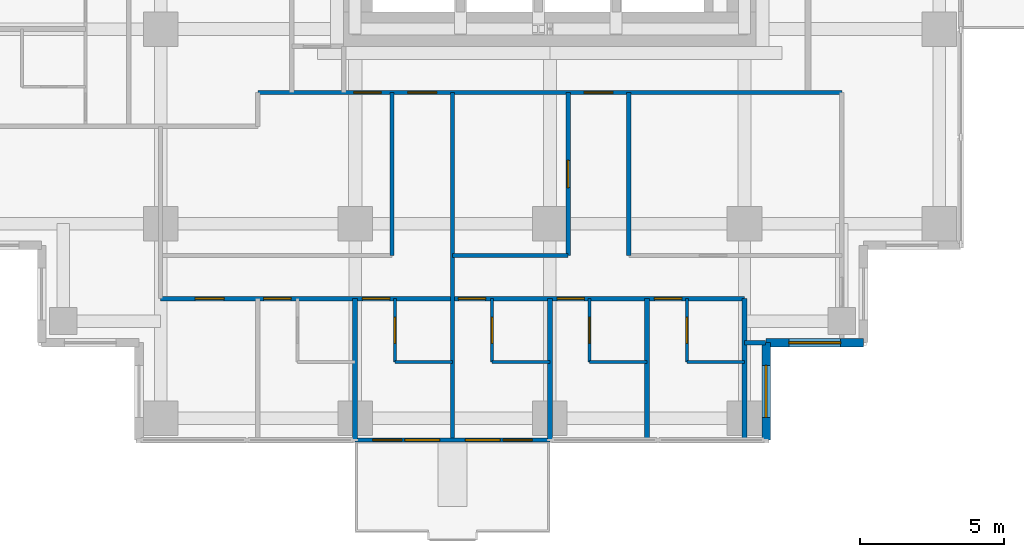
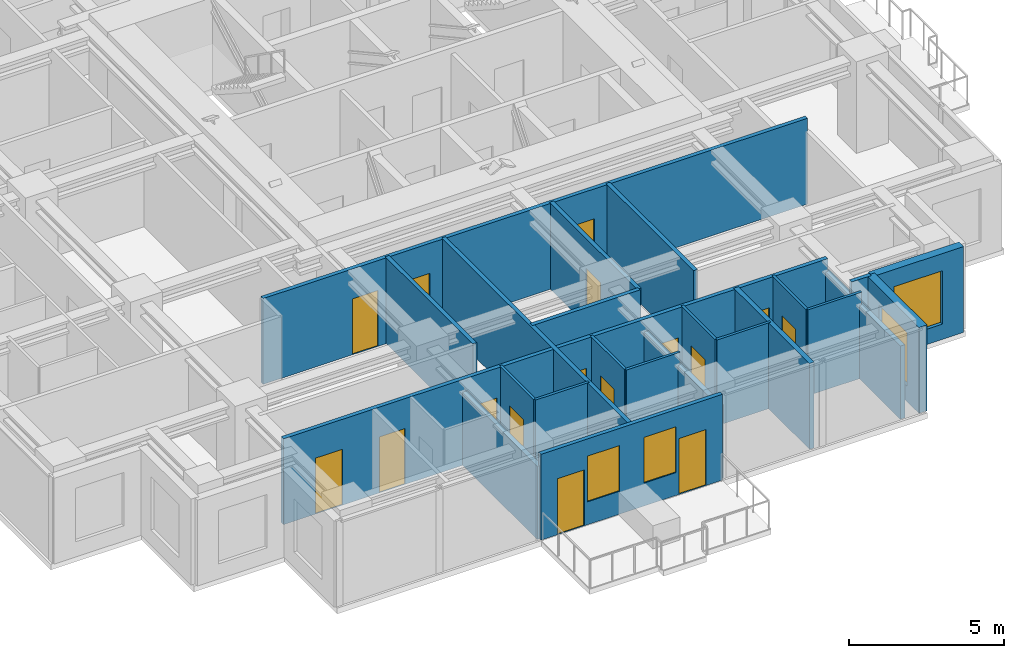
# One storey, part 5 of 10: 23 walls, 16 doors, 4 windows, 20 openings.
"""IFC4 building model written with IfcOpenShell, lengths in metres."""

from ifc_helpers import new_model, si_unit, direction, frame, frame_2d, origin, place, context, subcontext, project, spatial, rectangle, extrude, material, layer, layer_set, type_object, element, fill, save


model = new_model("IFC4")

# Units and contexts
model_context = context("Model", 3, precision=1e-05, world=origin(), true_north=direction((0.0, 1.0)))
body_context = subcontext(model_context, "Body", "Model", "MODEL_VIEW")
ifc_project = project(units=[si_unit("LENGTHUNIT", "METRE"), si_unit("AREAUNIT", "SQUARE_METRE"), si_unit("VOLUMEUNIT", "CUBIC_METRE"), si_unit("PLANEANGLEUNIT", "RADIAN"), si_unit("MASSUNIT", "GRAM", prefix="KILO")], contexts=[model_context])

# Site, building, storey
site_placement = place(None, origin())
site = spatial("IfcSite", under=ifc_project, at=site_placement, CompositionType="ELEMENT")
building_placement = place(site_placement, origin())
building = spatial("IfcBuilding", under=site, at=building_placement, Name="Nyansa Garden Tower", CompositionType="ELEMENT")
storey_placement = place(building_placement, frame((0.0, 0.0, 185.39990234375)))
storey = spatial("IfcBuildingStorey", under=building, at=storey_placement, Name="L50", CompositionType="ELEMENT", Elevation=185.39990234375)

# Walls
ifc_material_1 = material(Name="Dense blockwork, plastered both sides, 55 dB", Category="masonry")
ifc_layer_1 = layer(ifc_material_1, 0.175048828125)
ifc_layer_set_1 = layer_set([ifc_layer_1], Name="Acoustic party wall PW175")
wall_type_1 = type_object("IfcWallType", Name="Acoustic party wall PW175", PredefinedType="PARTITIONING", material=ifc_layer_set_1)
for number, where, z_axis, x_axis, name in (
    (1, (13.5, -0.73388671875, 0.0), (0.0, 0.0, 1.0), (0.0, 1.0, 0.0), "Party wall"),
    (2, (20.25, -0.73388671875, 0.0), (0.0, 0.0, 1.0), (0.0, 1.0, 0.0), "Party wall"),
):
    element("IfcWall", number, at=place(storey_placement, frame(where, z_axis=z_axis, x_axis=x_axis)), inside=storey, type_object=wall_type_1, Name=name, PredefinedType="PARTITIONING", context=body_context, shape_type="SweptSolid", body=[
        extrude(rectangle(XDim=4.8837890625, YDim=0.175048828125, at=frame_2d((2.44189453125, 0.0))), origin(), (0.0, 0.0, 1.0), 2.877197265625),
    ])
wall_1_placement = place(storey_placement, frame((23.625, -0.73388671875, 0.0), z_axis=(0.0, 0.0, 1.0), x_axis=(0.0, 1.0, 0.0)))
element("IfcWall", 3, at=wall_1_placement, inside=storey, type_object=wall_type_1, Name="Party wall", PredefinedType="PARTITIONING", context=body_context, shape_type="SweptSolid", body=[
    extrude(rectangle(XDim=4.8837890625, YDim=0.175048828125, at=frame_2d((2.44189453125, 0.0))), origin(), (0.0, 0.0, 1.0), 3.375),
])
wall_2_placement = place(storey_placement, frame((27.0, -0.73388671875, 0.0), z_axis=(0.0, 0.0, 1.0), x_axis=(0.0, 1.0, 0.0)))
element("IfcWall", 4, at=wall_2_placement, inside=storey, type_object=wall_type_1, Name="Party wall", PredefinedType="PARTITIONING", context=body_context, shape_type="SweptSolid", body=[
    extrude(rectangle(XDim=4.8837890625, YDim=0.175048828125, at=frame_2d((2.44189453125, 0.0))), origin(), (0.0, 0.0, 1.0), 2.877197265625),
])

# Wall, openings, doors, windows
ifc_material_2 = material(Name="Black aluminium framed glazed screen", Category="aluminium")
ifc_layer_2 = layer(ifc_material_2, 0.14990234375)
ifc_layer_set_2 = layer_set([ifc_layer_2], Name="Balcony screen wall BW150")
wall_type_2 = type_object("IfcWallType", Name="Balcony screen wall BW150", PredefinedType="SOLIDWALL", material=ifc_layer_set_2)
wall_3_placement = place(storey_placement, frame((20.25, -0.75, 0.0), z_axis=(0.0, 0.0, 1.0), x_axis=(-1.0, 0.0, 0.0)))
wall_3 = element("IfcWall", 5, at=wall_3_placement, inside=storey, type_object=wall_type_2, Name="Glazed screen wall L50 S", PredefinedType="SOLIDWALL", context=body_context, shape_type="SweptSolid", body=[
    extrude(rectangle(XDim=6.75, YDim=0.14990234375, at=frame_2d((3.375, 0.0))), origin(), (0.0, 0.0, 1.0), 3.375),
])
opening_1_placement = place(wall_3_placement, frame((0.612548828125, 0.0, 0.0)))
opening_1 = element("IfcOpeningElement", 6, at=opening_1_placement, cuts=wall_3, Name="Opening D20", PredefinedType="OPENING", context=body_context, shape_type="SweptSolid", body=[
    extrude(rectangle(XDim=1.0, YDim=2.199951171875, at=frame_2d((0.5, 1.10009765625))), frame((0.0, 0.0849609375, 0.0), z_axis=(0.0, -1.0, 0.0), x_axis=(1.0, 0.0, 0.0)), (0.0, 0.0, 1.0), 0.169921875),
])
opening_2_placement = place(wall_3_placement, frame((1.72509765625, 0.0, 0.89990234375)))
opening_2 = element("IfcOpeningElement", 7, at=opening_2_placement, cuts=wall_3, Name="Opening W6", PredefinedType="OPENING", context=body_context, shape_type="SweptSolid", body=[
    extrude(rectangle(XDim=1.199951171875, YDim=1.800048828125, at=frame_2d((0.60009765625, 0.89990234375))), frame((0.0, 0.0849609375, 0.0), z_axis=(0.0, -1.0, 0.0), x_axis=(1.0, 0.0, 0.0)), (0.0, 0.0, 1.0), 0.169921875),
])
opening_3_placement = place(wall_3_placement, frame((5.137451171875, 0.0, 0.0)))
opening_3 = element("IfcOpeningElement", 8, at=opening_3_placement, cuts=wall_3, Name="Opening D20", PredefinedType="OPENING", context=body_context, shape_type="SweptSolid", body=[
    extrude(rectangle(XDim=1.0, YDim=2.199951171875, at=frame_2d((0.5, 1.10009765625))), frame((0.0, 0.0849609375, 0.0), z_axis=(0.0, -1.0, 0.0), x_axis=(1.0, 0.0, 0.0)), (0.0, 0.0, 1.0), 0.169921875),
])
opening_4_placement = place(wall_3_placement, frame((3.824951171875, 0.0, 0.89990234375)))
opening_4 = element("IfcOpeningElement", 9, at=opening_4_placement, cuts=wall_3, Name="Opening W6", PredefinedType="OPENING", context=body_context, shape_type="SweptSolid", body=[
    extrude(rectangle(XDim=1.199951171875, YDim=1.800048828125, at=frame_2d((0.60009765625, 0.89990234375))), frame((0.0, 0.0849609375, 0.0), z_axis=(0.0, -1.0, 0.0), x_axis=(1.0, 0.0, 0.0)), (0.0, 0.0, 1.0), 0.169921875),
])
ifc_material_3 = material(Name="Black aluminium framed glazed door", Category="aluminium")
door_type_1 = type_object("IfcDoorType", Name="Balcony door D20 1000x2200", OperationType="NOTDEFINED", PredefinedType="DOOR", material=ifc_material_3)
door_1_placement = place(opening_1_placement, origin())
door_1 = element("IfcDoor", 10, at=door_1_placement, inside=storey, type_object=door_type_1, Name="Balcony door L50", OperationType="SINGLE_SWING_LEFT", OverallHeight=2.199951171875, OverallWidth=1.0, PredefinedType="DOOR", context=body_context, shape_type="SweptSolid", body=[
    extrude(rectangle(XDim=1.0, YDim=2.199951171875, at=frame_2d((0.5, 1.10009765625))), frame((0.0, 0.02490234375, 0.0), z_axis=(0.0, -1.0, 0.0), x_axis=(1.0, 0.0, 0.0)), (0.0, 0.0, 1.0), 0.050048828125),
])
fill(opening_1, door_1)
door_2_placement = place(opening_3_placement, origin())
door_2 = element("IfcDoor", 11, at=door_2_placement, inside=storey, type_object=door_type_1, Name="Balcony door L50", OperationType="SINGLE_SWING_RIGHT", OverallHeight=2.199951171875, OverallWidth=1.0, PredefinedType="DOOR", context=body_context, shape_type="SweptSolid", body=[
    extrude(rectangle(XDim=1.0, YDim=2.199951171875, at=frame_2d((0.5, 1.10009765625))), frame((0.0, 0.02490234375, 0.0), z_axis=(0.0, -1.0, 0.0), x_axis=(1.0, 0.0, 0.0)), (0.0, 0.0, 1.0), 0.050048828125),
])
fill(opening_3, door_2)
ifc_material_4 = material(Name="Black aluminium frame, dark tinted double glazing", Category="aluminium")
window_type_1 = type_object("IfcWindowType", Name="Balcony window W6 1200x1800", PartitioningType="SINGLE_PANEL", PredefinedType="WINDOW", material=ifc_material_4)
window_1_placement = place(opening_2_placement, origin())
window_1 = element("IfcWindow", 12, at=window_1_placement, inside=storey, type_object=window_type_1, Name="Window L50", OverallHeight=1.800048828125, OverallWidth=1.199951171875, PartitioningType="SINGLE_PANEL", PredefinedType="WINDOW", context=body_context, shape_type="SweptSolid", body=[
    extrude(rectangle(XDim=1.199951171875, YDim=1.800048828125, at=frame_2d((0.60009765625, 0.89990234375))), frame((0.0, 0.030029296875, 0.0), z_axis=(0.0, -1.0, 0.0), x_axis=(1.0, 0.0, 0.0)), (0.0, 0.0, 1.0), 0.06005859375),
])
fill(opening_2, window_1)
window_2_placement = place(opening_4_placement, origin())
window_2 = element("IfcWindow", 13, at=window_2_placement, inside=storey, type_object=window_type_1, Name="Window L50", OverallHeight=1.800048828125, OverallWidth=1.199951171875, PartitioningType="SINGLE_PANEL", PredefinedType="WINDOW", context=body_context, shape_type="SweptSolid", body=[
    extrude(rectangle(XDim=1.199951171875, YDim=1.800048828125, at=frame_2d((0.60009765625, 0.89990234375))), frame((0.0, 0.030029296875, 0.0), z_axis=(0.0, -1.0, 0.0), x_axis=(1.0, 0.0, 0.0)), (0.0, 0.0, 1.0), 0.06005859375),
])
fill(opening_4, window_2)

# Wall, openings, doors
ifc_material_5 = material(Name="Blockwork, plastered both sides", Category="masonry")
ifc_layer_3 = layer(ifc_material_5, 0.14990234375)
ifc_layer_set_3 = layer_set([ifc_layer_3], Name="Partition PW150")
wall_type_3 = type_object("IfcWallType", Name="Partition PW150", PredefinedType="PARTITIONING", material=ifc_layer_set_3)
wall_4_placement = place(storey_placement, frame((6.75, 4.14990234375, 0.0), z_axis=(0.0, 0.0, 1.0), x_axis=(1.0, 0.0, 0.0)))
wall_4 = element("IfcWall", 14, at=wall_4_placement, inside=storey, type_object=wall_type_3, Name="Partition", PredefinedType="PARTITIONING", context=body_context, shape_type="SweptSolid", body=[
    extrude(rectangle(XDim=20.25, YDim=0.14990234375, at=frame_2d((10.125, 0.0))), origin(), (0.0, 0.0, 1.0), 3.375),
])
opening_5_placement = place(wall_4_placement, frame((1.199951171875, 0.0, 0.0)))
opening_5 = element("IfcOpeningElement", 15, at=opening_5_placement, cuts=wall_4, Name="Opening D03", PredefinedType="OPENING", context=body_context, shape_type="SweptSolid", body=[
    extrude(rectangle(XDim=1.0, YDim=2.199951171875, at=frame_2d((0.5, 1.10009765625))), frame((0.0, 0.0849609375, 0.0), z_axis=(0.0, -1.0, 0.0), x_axis=(1.0, 0.0, 0.0)), (0.0, 0.0, 1.0), 0.169921875),
])
opening_6_placement = place(wall_4_placement, frame((3.574951171875, 0.0, 0.0)))
opening_6 = element("IfcOpeningElement", 16, at=opening_6_placement, cuts=wall_4, Name="Opening D01", PredefinedType="OPENING", context=body_context, shape_type="SweptSolid", body=[
    extrude(rectangle(XDim=0.949951171875, YDim=2.199951171875, at=frame_2d((0.47509765625, 1.10009765625))), frame((0.0, 0.0849609375, 0.0), z_axis=(0.0, -1.0, 0.0), x_axis=(1.0, 0.0, 0.0)), (0.0, 0.0, 1.0), 0.169921875),
])
opening_7_placement = place(wall_4_placement, frame((7.0, 0.0, 0.0)))
opening_7 = element("IfcOpeningElement", 17, at=opening_7_placement, cuts=wall_4, Name="Opening D01", PredefinedType="OPENING", context=body_context, shape_type="SweptSolid", body=[
    extrude(rectangle(XDim=0.949951171875, YDim=2.199951171875, at=frame_2d((0.47509765625, 1.10009765625))), frame((0.0, 0.0849609375, 0.0), z_axis=(0.0, -1.0, 0.0), x_axis=(1.0, 0.0, 0.0)), (0.0, 0.0, 1.0), 0.169921875),
])
opening_8_placement = place(wall_4_placement, frame((10.324951171875, 0.0, 0.0)))
opening_8 = element("IfcOpeningElement", 18, at=opening_8_placement, cuts=wall_4, Name="Opening D14", PredefinedType="OPENING", context=body_context, shape_type="SweptSolid", body=[
    extrude(rectangle(XDim=0.949951171875, YDim=2.199951171875, at=frame_2d((0.47509765625, 1.10009765625))), frame((0.0, 0.0849609375, 0.0), z_axis=(0.0, -1.0, 0.0), x_axis=(1.0, 0.0, 0.0)), (0.0, 0.0, 1.0), 0.169921875),
])
opening_9_placement = place(wall_4_placement, frame((13.75, 0.0, 0.0)))
opening_9 = element("IfcOpeningElement", 19, at=opening_9_placement, cuts=wall_4, Name="Opening D14", PredefinedType="OPENING", context=body_context, shape_type="SweptSolid", body=[
    extrude(rectangle(XDim=0.949951171875, YDim=2.199951171875, at=frame_2d((0.47509765625, 1.10009765625))), frame((0.0, 0.0849609375, 0.0), z_axis=(0.0, -1.0, 0.0), x_axis=(1.0, 0.0, 0.0)), (0.0, 0.0, 1.0), 0.169921875),
])
opening_10_placement = place(wall_4_placement, frame((17.125, 0.0, 0.0)))
opening_10 = element("IfcOpeningElement", 20, at=opening_10_placement, cuts=wall_4, Name="Opening D14", PredefinedType="OPENING", context=body_context, shape_type="SweptSolid", body=[
    extrude(rectangle(XDim=0.949951171875, YDim=2.199951171875, at=frame_2d((0.47509765625, 1.10009765625))), frame((0.0, 0.0849609375, 0.0), z_axis=(0.0, -1.0, 0.0), x_axis=(1.0, 0.0, 0.0)), (0.0, 0.0, 1.0), 0.169921875),
])
ifc_material_6 = material(Name="Timber flush door, 30 minute fire resisting", Category="wood")
door_type_2 = type_object("IfcDoorType", Name="Bedroom door D01 950x2200", OperationType="SINGLE_SWING_LEFT", PredefinedType="DOOR", material=ifc_material_6)
door_3_placement = place(opening_6_placement, origin())
door_3 = element("IfcDoor", 21, at=door_3_placement, inside=storey, type_object=door_type_2, Name="Door L50-018", OperationType="SINGLE_SWING_LEFT", OverallHeight=2.199951171875, OverallWidth=0.949951171875, PredefinedType="DOOR", context=body_context, shape_type="SweptSolid", body=[
    extrude(rectangle(XDim=0.949951171875, YDim=2.199951171875, at=frame_2d((0.47509765625, 1.10009765625))), frame((0.0, 0.02490234375, 0.0), z_axis=(0.0, -1.0, 0.0), x_axis=(1.0, 0.0, 0.0)), (0.0, 0.0, 1.0), 0.050048828125),
])
fill(opening_6, door_3)
door_4_placement = place(opening_7_placement, origin())
door_4 = element("IfcDoor", 22, at=door_4_placement, inside=storey, type_object=door_type_2, Name="Door L50-020", OperationType="SINGLE_SWING_LEFT", OverallHeight=2.199951171875, OverallWidth=0.949951171875, PredefinedType="DOOR", context=body_context, shape_type="SweptSolid", body=[
    extrude(rectangle(XDim=0.949951171875, YDim=2.199951171875, at=frame_2d((0.47509765625, 1.10009765625))), frame((0.0, 0.02490234375, 0.0), z_axis=(0.0, -1.0, 0.0), x_axis=(1.0, 0.0, 0.0)), (0.0, 0.0, 1.0), 0.050048828125),
])
fill(opening_7, door_4)
ifc_material_7 = material(Name="Timber flush door, 60 minute fire resisting", Category="wood")
door_type_3 = type_object("IfcDoorType", Name="Cluster entrance door D03 1000x2200", OperationType="SINGLE_SWING_LEFT", PredefinedType="DOOR", material=ifc_material_7)
door_5_placement = place(opening_5_placement, origin())
door_5 = element("IfcDoor", 23, at=door_5_placement, inside=storey, type_object=door_type_3, Name="Door L50-017", OperationType="SINGLE_SWING_LEFT", OverallHeight=2.199951171875, OverallWidth=1.0, PredefinedType="DOOR", context=body_context, shape_type="SweptSolid", body=[
    extrude(rectangle(XDim=1.0, YDim=2.199951171875, at=frame_2d((0.5, 1.10009765625))), frame((0.0, 0.02490234375, 0.0), z_axis=(0.0, -1.0, 0.0), x_axis=(1.0, 0.0, 0.0)), (0.0, 0.0, 1.0), 0.050048828125),
])
fill(opening_5, door_5)
ifc_material_8 = material(Name="Timber flush door, 60 minute fire resisting, self-closing", Category="wood")
door_type_4 = type_object("IfcDoorType", Name="Studio entrance door D14 950x2200", OperationType="SINGLE_SWING_LEFT", PredefinedType="DOOR", material=ifc_material_8)
door_6_placement = place(opening_8_placement, origin())
door_6 = element("IfcDoor", 24, at=door_6_placement, inside=storey, type_object=door_type_4, Name="Door L50-023", OperationType="SINGLE_SWING_LEFT", OverallHeight=2.199951171875, OverallWidth=0.949951171875, PredefinedType="DOOR", context=body_context, shape_type="SweptSolid", body=[
    extrude(rectangle(XDim=0.949951171875, YDim=2.199951171875, at=frame_2d((0.47509765625, 1.10009765625))), frame((0.0, 0.02490234375, 0.0), z_axis=(0.0, -1.0, 0.0), x_axis=(1.0, 0.0, 0.0)), (0.0, 0.0, 1.0), 0.050048828125),
])
fill(opening_8, door_6)
door_7_placement = place(opening_9_placement, origin())
door_7 = element("IfcDoor", 25, at=door_7_placement, inside=storey, type_object=door_type_4, Name="Door L50-025", OperationType="SINGLE_SWING_LEFT", OverallHeight=2.199951171875, OverallWidth=0.949951171875, PredefinedType="DOOR", context=body_context, shape_type="SweptSolid", body=[
    extrude(rectangle(XDim=0.949951171875, YDim=2.199951171875, at=frame_2d((0.47509765625, 1.10009765625))), frame((0.0, 0.02490234375, 0.0), z_axis=(0.0, -1.0, 0.0), x_axis=(1.0, 0.0, 0.0)), (0.0, 0.0, 1.0), 0.050048828125),
])
fill(opening_9, door_7)
door_8_placement = place(opening_10_placement, origin())
door_8 = element("IfcDoor", 26, at=door_8_placement, inside=storey, type_object=door_type_4, Name="Door L50-027", OperationType="SINGLE_SWING_LEFT", OverallHeight=2.199951171875, OverallWidth=0.949951171875, PredefinedType="DOOR", context=body_context, shape_type="SweptSolid", body=[
    extrude(rectangle(XDim=0.949951171875, YDim=2.199951171875, at=frame_2d((0.47509765625, 1.10009765625))), frame((0.0, 0.02490234375, 0.0), z_axis=(0.0, -1.0, 0.0), x_axis=(1.0, 0.0, 0.0)), (0.0, 0.0, 1.0), 0.050048828125),
])
fill(opening_10, door_8)

wall_5_placement = place(storey_placement, frame((10.125, 11.300048828125, 0.0), z_axis=(0.0, 0.0, 1.0), x_axis=(1.0, 0.0, 0.0)))
wall_5 = element("IfcWall", 27, at=wall_5_placement, inside=storey, type_object=wall_type_3, Name="Partition", PredefinedType="PARTITIONING", context=body_context, shape_type="SweptSolid", body=[
    extrude(rectangle(XDim=20.25, YDim=0.14990234375, at=frame_2d((10.125, 0.0))), origin(), (0.0, 0.0, 1.0), 3.375),
])
opening_11_placement = place(wall_5_placement, frame((5.199951171875, 0.0, 0.0)))
opening_11 = element("IfcOpeningElement", 28, at=opening_11_placement, cuts=wall_5, Name="Opening D03", PredefinedType="OPENING", context=body_context, shape_type="SweptSolid", body=[
    extrude(rectangle(XDim=1.0, YDim=2.199951171875, at=frame_2d((0.5, 1.10009765625))), frame((0.0, 0.0849609375, 0.0), z_axis=(0.0, -1.0, 0.0), x_axis=(1.0, 0.0, 0.0)), (0.0, 0.0, 1.0), 0.169921875),
])
opening_12_placement = place(wall_5_placement, frame((11.3125, 0.0, 0.0)))
opening_12 = element("IfcOpeningElement", 29, at=opening_12_placement, cuts=wall_5, Name="Opening D03", PredefinedType="OPENING", context=body_context, shape_type="SweptSolid", body=[
    extrude(rectangle(XDim=1.0, YDim=2.199951171875, at=frame_2d((0.5, 1.10009765625))), frame((0.0, 0.0849609375, 0.0), z_axis=(0.0, -1.0, 0.0), x_axis=(1.0, 0.0, 0.0)), (0.0, 0.0, 1.0), 0.169921875),
])
opening_13_placement = place(wall_5_placement, frame((3.324951171875, 0.0, 0.0)))
opening_13 = element("IfcOpeningElement", 30, at=opening_13_placement, cuts=wall_5, Name="Opening D01", PredefinedType="OPENING", context=body_context, shape_type="SweptSolid", body=[
    extrude(rectangle(XDim=0.949951171875, YDim=2.199951171875, at=frame_2d((0.47509765625, 1.10009765625))), frame((0.0, 0.0849609375, 0.0), z_axis=(0.0, -1.0, 0.0), x_axis=(1.0, 0.0, 0.0)), (0.0, 0.0, 1.0), 0.169921875),
])
door_9_placement = place(opening_13_placement, origin())
door_9 = element("IfcDoor", 31, at=door_9_placement, inside=storey, type_object=door_type_2, Name="Door L50-030", OperationType="SINGLE_SWING_LEFT", OverallHeight=2.199951171875, OverallWidth=0.949951171875, PredefinedType="DOOR", context=body_context, shape_type="SweptSolid", body=[
    extrude(rectangle(XDim=0.949951171875, YDim=2.199951171875, at=frame_2d((0.47509765625, 1.10009765625))), frame((0.0, 0.02490234375, 0.0), z_axis=(0.0, -1.0, 0.0), x_axis=(1.0, 0.0, 0.0)), (0.0, 0.0, 1.0), 0.050048828125),
])
fill(opening_13, door_9)
door_10_placement = place(opening_11_placement, origin())
door_10 = element("IfcDoor", 32, at=door_10_placement, inside=storey, type_object=door_type_3, Name="Door L50-022", OperationType="SINGLE_SWING_LEFT", OverallHeight=2.199951171875, OverallWidth=1.0, PredefinedType="DOOR", context=body_context, shape_type="SweptSolid", body=[
    extrude(rectangle(XDim=1.0, YDim=2.199951171875, at=frame_2d((0.5, 1.10009765625))), frame((0.0, 0.02490234375, 0.0), z_axis=(0.0, -1.0, 0.0), x_axis=(1.0, 0.0, 0.0)), (0.0, 0.0, 1.0), 0.050048828125),
])
fill(opening_11, door_10)
door_11_placement = place(opening_12_placement, origin())
door_11 = element("IfcDoor", 33, at=door_11_placement, inside=storey, type_object=door_type_3, Name="Door L50-029", OperationType="SINGLE_SWING_LEFT", OverallHeight=2.199951171875, OverallWidth=1.0, PredefinedType="DOOR", context=body_context, shape_type="SweptSolid", body=[
    extrude(rectangle(XDim=1.0, YDim=2.199951171875, at=frame_2d((0.5, 1.10009765625))), frame((0.0, 0.02490234375, 0.0), z_axis=(0.0, -1.0, 0.0), x_axis=(1.0, 0.0, 0.0)), (0.0, 0.0, 1.0), 0.050048828125),
])
fill(opening_12, door_11)

# Walls
wall_6_placement = place(storey_placement, frame((14.77490234375, 5.64990234375, 0.0), z_axis=(0.0, 0.0, 1.0), x_axis=(0.0, 1.0, 0.0)))
element("IfcWall", 34, at=wall_6_placement, inside=storey, type_object=wall_type_3, Name="Partition", PredefinedType="PARTITIONING", context=body_context, shape_type="SweptSolid", body=[
    extrude(rectangle(XDim=5.650146484375, YDim=0.14990234375, at=frame_2d((2.8251953125, 0.0))), origin(), (0.0, 0.0, 1.0), 3.375),
])
wall_7_placement = place(storey_placement, frame((16.875, -0.73388671875, 0.0), z_axis=(0.0, 0.0, 1.0), x_axis=(0.0, 1.0, 0.0)))
element("IfcWall", 35, at=wall_7_placement, inside=storey, type_object=wall_type_3, Name="Partition", PredefinedType="PARTITIONING", context=body_context, shape_type="SweptSolid", body=[
    extrude(rectangle(XDim=12.033935546875, YDim=0.14990234375, at=frame_2d((6.01708984375, 0.0))), origin(), (0.0, 0.0, 1.0), 3.375),
])
wall_8_placement = place(storey_placement, frame((16.875, 5.64990234375, 0.0), z_axis=(0.0, 0.0, 1.0), x_axis=(1.0, 0.0, 0.0)))
element("IfcWall", 36, at=wall_8_placement, inside=storey, type_object=wall_type_3, Name="Partition", PredefinedType="PARTITIONING", context=body_context, shape_type="SweptSolid", body=[
    extrude(rectangle(XDim=4.012451171875, YDim=0.14990234375, at=frame_2d((2.00634765625, 0.0))), origin(), (0.0, 0.0, 1.0), 3.375),
])

# Wall, opening, door
wall_9_placement = place(storey_placement, frame((20.886962890625, 5.64990234375, 0.0), z_axis=(0.0, 0.0, 1.0), x_axis=(0.0, 1.0, 0.0)))
wall_9 = element("IfcWall", 37, at=wall_9_placement, inside=storey, type_object=wall_type_3, Name="Partition", PredefinedType="PARTITIONING", context=body_context, shape_type="SweptSolid", body=[
    extrude(rectangle(XDim=5.650146484375, YDim=0.14990234375, at=frame_2d((2.8251953125, 0.0))), origin(), (0.0, 0.0, 1.0), 3.375),
])
opening_14_placement = place(wall_9_placement, frame((2.35009765625, 0.0, 0.0)))
opening_14 = element("IfcOpeningElement", 38, at=opening_14_placement, cuts=wall_9, Name="Opening D01", PredefinedType="OPENING", context=body_context, shape_type="SweptSolid", body=[
    extrude(rectangle(XDim=0.949951171875, YDim=2.199951171875, at=frame_2d((0.47509765625, 1.10009765625))), frame((0.0, 0.0849609375, 0.0), z_axis=(0.0, -1.0, 0.0), x_axis=(1.0, 0.0, 0.0)), (0.0, 0.0, 1.0), 0.169921875),
])
door_12_placement = place(opening_14_placement, origin())
door_12 = element("IfcDoor", 39, at=door_12_placement, inside=storey, type_object=door_type_2, Name="Door L50-031", OperationType="SINGLE_SWING_LEFT", OverallHeight=2.199951171875, OverallWidth=0.949951171875, PredefinedType="DOOR", context=body_context, shape_type="SweptSolid", body=[
    extrude(rectangle(XDim=0.949951171875, YDim=2.199951171875, at=frame_2d((0.47509765625, 1.10009765625))), frame((0.0, 0.02490234375, 0.0), z_axis=(0.0, -1.0, 0.0), x_axis=(1.0, 0.0, 0.0)), (0.0, 0.0, 1.0), 0.050048828125),
])
fill(opening_14, door_12)

# Walls
wall_10_placement = place(storey_placement, frame((22.988037109375, 5.64990234375, 0.0), z_axis=(0.0, 0.0, 1.0), x_axis=(0.0, 1.0, 0.0)))
element("IfcWall", 40, at=wall_10_placement, inside=storey, type_object=wall_type_3, Name="Partition", PredefinedType="PARTITIONING", context=body_context, shape_type="SweptSolid", body=[
    extrude(rectangle(XDim=5.650146484375, YDim=0.14990234375, at=frame_2d((2.8251953125, 0.0))), origin(), (0.0, 0.0, 1.0), 3.375),
])
wall_11_placement = place(storey_placement, frame((27.0, 2.625, 0.0), z_axis=(0.0, 0.0, 1.0), x_axis=(1.0, 0.0, 0.0)))
element("IfcWall", 41, at=wall_11_placement, inside=storey, type_object=wall_type_3, Name="Partition", PredefinedType="PARTITIONING", context=body_context, shape_type="SweptSolid", body=[
    extrude(rectangle(XDim=0.73388671875, YDim=0.14990234375, at=frame_2d((0.366943359375, 0.0))), origin(), (0.0, 0.0, 1.0), 3.375),
])

# Wall, opening, window
ifc_material_9 = material(Name="Turquoise glazed tile on concrete blockwork", Category="masonry")
ifc_layer_4 = layer(ifc_material_9, 0.300048828125)
ifc_layer_set_4 = layer_set([ifc_layer_4], Name="Tiled corner wall TW300")
wall_type_4 = type_object("IfcWallType", Name="Tiled corner wall TW300", PredefinedType="SOLIDWALL", material=ifc_layer_set_4)
wall_12_placement = place(storey_placement, frame((27.75, -0.75, 0.0), z_axis=(0.0, 0.0, 1.0), x_axis=(0.0, 1.0, 0.0)))
wall_12 = element("IfcWall", 42, at=wall_12_placement, inside=storey, type_object=wall_type_4, Name="Tiled corner wall L50", PredefinedType="SOLIDWALL", context=body_context, shape_type="SweptSolid", body=[
    extrude(rectangle(XDim=3.375, YDim=0.300048828125, at=frame_2d((1.6875, 0.0))), origin(), (0.0, 0.0, 1.0), 3.375),
])
opening_15_placement = place(wall_12_placement, frame((0.78759765625, 0.0, 0.60009765625)))
opening_15 = element("IfcOpeningElement", 43, at=opening_15_placement, cuts=wall_12, Name="Opening W2", PredefinedType="OPENING", context=body_context, shape_type="SweptSolid", body=[
    extrude(rectangle(XDim=1.800048828125, YDim=2.10009765625, at=frame_2d((0.89990234375, 1.050048828125))), frame((0.0, 0.159912109375, 0.0), z_axis=(0.0, -1.0, 0.0), x_axis=(1.0, 0.0, 0.0)), (0.0, 0.0, 1.0), 0.320068359375),
])
ifc_material_10 = material(Name="Black aluminium frame, dark tinted double glazing", Category="aluminium")
window_type_2 = type_object("IfcWindowType", Name="Window W2 1800x2100", PartitioningType="SINGLE_PANEL", PredefinedType="WINDOW", material=ifc_material_10)
window_3_placement = place(opening_15_placement, origin())
window_3 = element("IfcWindow", 44, at=window_3_placement, inside=storey, type_object=window_type_2, Name="Corner window L50", OverallHeight=2.10009765625, OverallWidth=1.800048828125, PartitioningType="SINGLE_PANEL", PredefinedType="WINDOW", context=body_context, shape_type="SweptSolid", body=[
    extrude(rectangle(XDim=1.800048828125, YDim=2.10009765625, at=frame_2d((0.89990234375, 1.050048828125))), frame((0.0, 0.030029296875, 0.0), z_axis=(0.0, -1.0, 0.0), x_axis=(1.0, 0.0, 0.0)), (0.0, 0.0, 1.0), 0.06005859375),
])
fill(opening_15, window_3)

wall_13_placement = place(storey_placement, frame((27.75, 2.625, 0.0), z_axis=(0.0, 0.0, 1.0), x_axis=(1.0, 0.0, 0.0)))
wall_13 = element("IfcWall", 45, at=wall_13_placement, inside=storey, type_object=wall_type_4, Name="Tiled corner wall L50", PredefinedType="SOLIDWALL", context=body_context, shape_type="SweptSolid", body=[
    extrude(rectangle(XDim=3.375, YDim=0.300048828125, at=frame_2d((1.6875, 0.0))), origin(), (0.0, 0.0, 1.0), 3.375),
])
opening_16_placement = place(wall_13_placement, frame((0.78759765625, 0.0, 0.60009765625)))
opening_16 = element("IfcOpeningElement", 46, at=opening_16_placement, cuts=wall_13, Name="Opening W2", PredefinedType="OPENING", context=body_context, shape_type="SweptSolid", body=[
    extrude(rectangle(XDim=1.800048828125, YDim=2.10009765625, at=frame_2d((0.89990234375, 1.050048828125))), frame((0.0, 0.159912109375, 0.0), z_axis=(0.0, -1.0, 0.0), x_axis=(1.0, 0.0, 0.0)), (0.0, 0.0, 1.0), 0.320068359375),
])
window_4_placement = place(opening_16_placement, origin())
window_4 = element("IfcWindow", 47, at=window_4_placement, inside=storey, type_object=window_type_2, Name="Corner window L50", OverallHeight=2.10009765625, OverallWidth=1.800048828125, PartitioningType="SINGLE_PANEL", PredefinedType="WINDOW", context=body_context, shape_type="SweptSolid", body=[
    extrude(rectangle(XDim=1.800048828125, YDim=2.10009765625, at=frame_2d((0.89990234375, 1.050048828125))), frame((0.0, 0.030029296875, 0.0), z_axis=(0.0, -1.0, 0.0), x_axis=(1.0, 0.0, 0.0)), (0.0, 0.0, 1.0), 0.06005859375),
])
fill(opening_16, window_4)

# Wall, opening, door
ifc_material_11 = material(Name="Moisture resistant board on steel studs, tiled", Category="steel")
ifc_layer_5 = layer(ifc_material_11, 0.10009765625)
ifc_layer_set_5 = layer_set([ifc_layer_5], Name="Wet wall PW100")
wall_type_5 = type_object("IfcWallType", Name="Wet wall PW100", PredefinedType="PARTITIONING", material=ifc_layer_set_5)
wall_14_placement = place(storey_placement, frame((14.875, 1.949951171875, 0.0), z_axis=(0.0, 0.0, 1.0), x_axis=(0.0, 1.0, 0.0)))
wall_14 = element("IfcWall", 48, at=wall_14_placement, inside=storey, type_object=wall_type_5, Name="Wet wall", PredefinedType="PARTITIONING", context=body_context, shape_type="SweptSolid", body=[
    extrude(rectangle(XDim=2.199951171875, YDim=0.10009765625, at=frame_2d((1.10009765625, 0.0))), origin(), (0.0, 0.0, 1.0), 3.375),
])
opening_17_placement = place(wall_14_placement, frame((0.64990234375, 0.0, 0.0)))
opening_17 = element("IfcOpeningElement", 49, at=opening_17_placement, cuts=wall_14, Name="Opening D02", PredefinedType="OPENING", context=body_context, shape_type="SweptSolid", body=[
    extrude(rectangle(XDim=0.89990234375, YDim=2.199951171875, at=frame_2d((0.449951171875, 1.10009765625))), frame((0.0, 0.06005859375, 0.0), z_axis=(0.0, -1.0, 0.0), x_axis=(1.0, 0.0, 0.0)), (0.0, 0.0, 1.0), 0.1201171875),
])
ifc_material_12 = material(Name="Timber flush door", Category="wood")
door_type_5 = type_object("IfcDoorType", Name="En-suite door D02 900x2200", OperationType="SINGLE_SWING_RIGHT", PredefinedType="DOOR", material=ifc_material_12)
door_13_placement = place(opening_17_placement, origin())
door_13 = element("IfcDoor", 50, at=door_13_placement, inside=storey, type_object=door_type_5, Name="Door L50-021", OperationType="SINGLE_SWING_RIGHT", OverallHeight=2.199951171875, OverallWidth=0.89990234375, PredefinedType="DOOR", context=body_context, shape_type="SweptSolid", body=[
    extrude(rectangle(XDim=0.89990234375, YDim=2.199951171875, at=frame_2d((0.449951171875, 1.10009765625))), frame((0.0, 0.02490234375, 0.0), z_axis=(0.0, -1.0, 0.0), x_axis=(1.0, 0.0, 0.0)), (0.0, 0.0, 1.0), 0.050048828125),
])
fill(opening_17, door_13)

# Wall
wall_15_placement = place(storey_placement, frame((14.875, 1.949951171875, 0.0), z_axis=(0.0, 0.0, 1.0), x_axis=(1.0, 0.0, 0.0)))
element("IfcWall", 51, at=wall_15_placement, inside=storey, type_object=wall_type_5, Name="Wet wall", PredefinedType="PARTITIONING", context=body_context, shape_type="SweptSolid", body=[
    extrude(rectangle(XDim=2.0, YDim=0.10009765625, at=frame_2d((1.0, 0.0))), origin(), (0.0, 0.0, 1.0), 3.375),
])

# Wall, opening, door
wall_16_placement = place(storey_placement, frame((18.25, 1.949951171875, 0.0), z_axis=(0.0, 0.0, 1.0), x_axis=(0.0, 1.0, 0.0)))
wall_16 = element("IfcWall", 52, at=wall_16_placement, inside=storey, type_object=wall_type_5, Name="Wet wall", PredefinedType="PARTITIONING", context=body_context, shape_type="SweptSolid", body=[
    extrude(rectangle(XDim=2.199951171875, YDim=0.10009765625, at=frame_2d((1.10009765625, 0.0))), origin(), (0.0, 0.0, 1.0), 3.375),
])
opening_18_placement = place(wall_16_placement, frame((0.64990234375, 0.0, 0.0)))
opening_18 = element("IfcOpeningElement", 53, at=opening_18_placement, cuts=wall_16, Name="Opening D02", PredefinedType="OPENING", context=body_context, shape_type="SweptSolid", body=[
    extrude(rectangle(XDim=0.89990234375, YDim=2.199951171875, at=frame_2d((0.449951171875, 1.10009765625))), frame((0.0, 0.06005859375, 0.0), z_axis=(0.0, -1.0, 0.0), x_axis=(1.0, 0.0, 0.0)), (0.0, 0.0, 1.0), 0.1201171875),
])
door_14_placement = place(opening_18_placement, origin())
door_14 = element("IfcDoor", 54, at=door_14_placement, inside=storey, type_object=door_type_5, Name="Door L50-024", OperationType="SINGLE_SWING_RIGHT", OverallHeight=2.199951171875, OverallWidth=0.89990234375, PredefinedType="DOOR", context=body_context, shape_type="SweptSolid", body=[
    extrude(rectangle(XDim=0.89990234375, YDim=2.199951171875, at=frame_2d((0.449951171875, 1.10009765625))), frame((0.0, 0.02490234375, 0.0), z_axis=(0.0, -1.0, 0.0), x_axis=(1.0, 0.0, 0.0)), (0.0, 0.0, 1.0), 0.050048828125),
])
fill(opening_18, door_14)

# Wall
wall_17_placement = place(storey_placement, frame((18.25, 1.949951171875, 0.0), z_axis=(0.0, 0.0, 1.0), x_axis=(1.0, 0.0, 0.0)))
element("IfcWall", 55, at=wall_17_placement, inside=storey, type_object=wall_type_5, Name="Wet wall", PredefinedType="PARTITIONING", context=body_context, shape_type="SweptSolid", body=[
    extrude(rectangle(XDim=2.0, YDim=0.10009765625, at=frame_2d((1.0, 0.0))), origin(), (0.0, 0.0, 1.0), 3.375),
])

# Wall, opening, door
wall_18_placement = place(storey_placement, frame((21.625, 1.949951171875, 0.0), z_axis=(0.0, 0.0, 1.0), x_axis=(0.0, 1.0, 0.0)))
wall_18 = element("IfcWall", 56, at=wall_18_placement, inside=storey, type_object=wall_type_5, Name="Wet wall", PredefinedType="PARTITIONING", context=body_context, shape_type="SweptSolid", body=[
    extrude(rectangle(XDim=2.199951171875, YDim=0.10009765625, at=frame_2d((1.10009765625, 0.0))), origin(), (0.0, 0.0, 1.0), 3.375),
])
opening_19_placement = place(wall_18_placement, frame((0.64990234375, 0.0, 0.0)))
opening_19 = element("IfcOpeningElement", 57, at=opening_19_placement, cuts=wall_18, Name="Opening D02", PredefinedType="OPENING", context=body_context, shape_type="SweptSolid", body=[
    extrude(rectangle(XDim=0.89990234375, YDim=2.199951171875, at=frame_2d((0.449951171875, 1.10009765625))), frame((0.0, 0.06005859375, 0.0), z_axis=(0.0, -1.0, 0.0), x_axis=(1.0, 0.0, 0.0)), (0.0, 0.0, 1.0), 0.1201171875),
])
door_15_placement = place(opening_19_placement, origin())
door_15 = element("IfcDoor", 58, at=door_15_placement, inside=storey, type_object=door_type_5, Name="Door L50-026", OperationType="SINGLE_SWING_RIGHT", OverallHeight=2.199951171875, OverallWidth=0.89990234375, PredefinedType="DOOR", context=body_context, shape_type="SweptSolid", body=[
    extrude(rectangle(XDim=0.89990234375, YDim=2.199951171875, at=frame_2d((0.449951171875, 1.10009765625))), frame((0.0, 0.02490234375, 0.0), z_axis=(0.0, -1.0, 0.0), x_axis=(1.0, 0.0, 0.0)), (0.0, 0.0, 1.0), 0.050048828125),
])
fill(opening_19, door_15)

# Wall
wall_19_placement = place(storey_placement, frame((21.625, 1.949951171875, 0.0), z_axis=(0.0, 0.0, 1.0), x_axis=(1.0, 0.0, 0.0)))
element("IfcWall", 59, at=wall_19_placement, inside=storey, type_object=wall_type_5, Name="Wet wall", PredefinedType="PARTITIONING", context=body_context, shape_type="SweptSolid", body=[
    extrude(rectangle(XDim=2.0, YDim=0.10009765625, at=frame_2d((1.0, 0.0))), origin(), (0.0, 0.0, 1.0), 3.375),
])

# Wall, opening, door
wall_20_placement = place(storey_placement, frame((25.0, 1.949951171875, 0.0), z_axis=(0.0, 0.0, 1.0), x_axis=(0.0, 1.0, 0.0)))
wall_20 = element("IfcWall", 60, at=wall_20_placement, inside=storey, type_object=wall_type_5, Name="Wet wall", PredefinedType="PARTITIONING", context=body_context, shape_type="SweptSolid", body=[
    extrude(rectangle(XDim=2.199951171875, YDim=0.10009765625, at=frame_2d((1.10009765625, 0.0))), origin(), (0.0, 0.0, 1.0), 3.375),
])
opening_20_placement = place(wall_20_placement, frame((0.64990234375, 0.0, 0.0)))
opening_20 = element("IfcOpeningElement", 61, at=opening_20_placement, cuts=wall_20, Name="Opening D02", PredefinedType="OPENING", context=body_context, shape_type="SweptSolid", body=[
    extrude(rectangle(XDim=0.89990234375, YDim=2.199951171875, at=frame_2d((0.449951171875, 1.10009765625))), frame((0.0, 0.06005859375, 0.0), z_axis=(0.0, -1.0, 0.0), x_axis=(1.0, 0.0, 0.0)), (0.0, 0.0, 1.0), 0.1201171875),
])
door_16_placement = place(opening_20_placement, origin())
door_16 = element("IfcDoor", 62, at=door_16_placement, inside=storey, type_object=door_type_5, Name="Door L50-028", OperationType="SINGLE_SWING_RIGHT", OverallHeight=2.199951171875, OverallWidth=0.89990234375, PredefinedType="DOOR", context=body_context, shape_type="SweptSolid", body=[
    extrude(rectangle(XDim=0.89990234375, YDim=2.199951171875, at=frame_2d((0.449951171875, 1.10009765625))), frame((0.0, 0.02490234375, 0.0), z_axis=(0.0, -1.0, 0.0), x_axis=(1.0, 0.0, 0.0)), (0.0, 0.0, 1.0), 0.050048828125),
])
fill(opening_20, door_16)

# Wall
wall_21_placement = place(storey_placement, frame((25.0, 1.949951171875, 0.0), z_axis=(0.0, 0.0, 1.0), x_axis=(1.0, 0.0, 0.0)))
element("IfcWall", 63, at=wall_21_placement, inside=storey, type_object=wall_type_5, Name="Wet wall", PredefinedType="PARTITIONING", context=body_context, shape_type="SweptSolid", body=[
    extrude(rectangle(XDim=2.0, YDim=0.10009765625, at=frame_2d((1.0, 0.0))), origin(), (0.0, 0.0, 1.0), 3.375),
])

save(model, "model.ifc")
